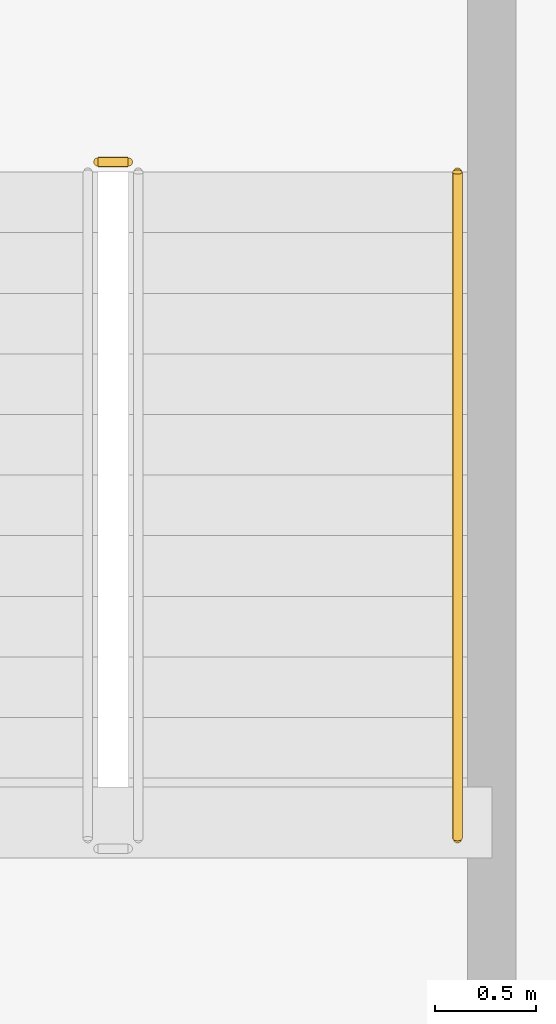
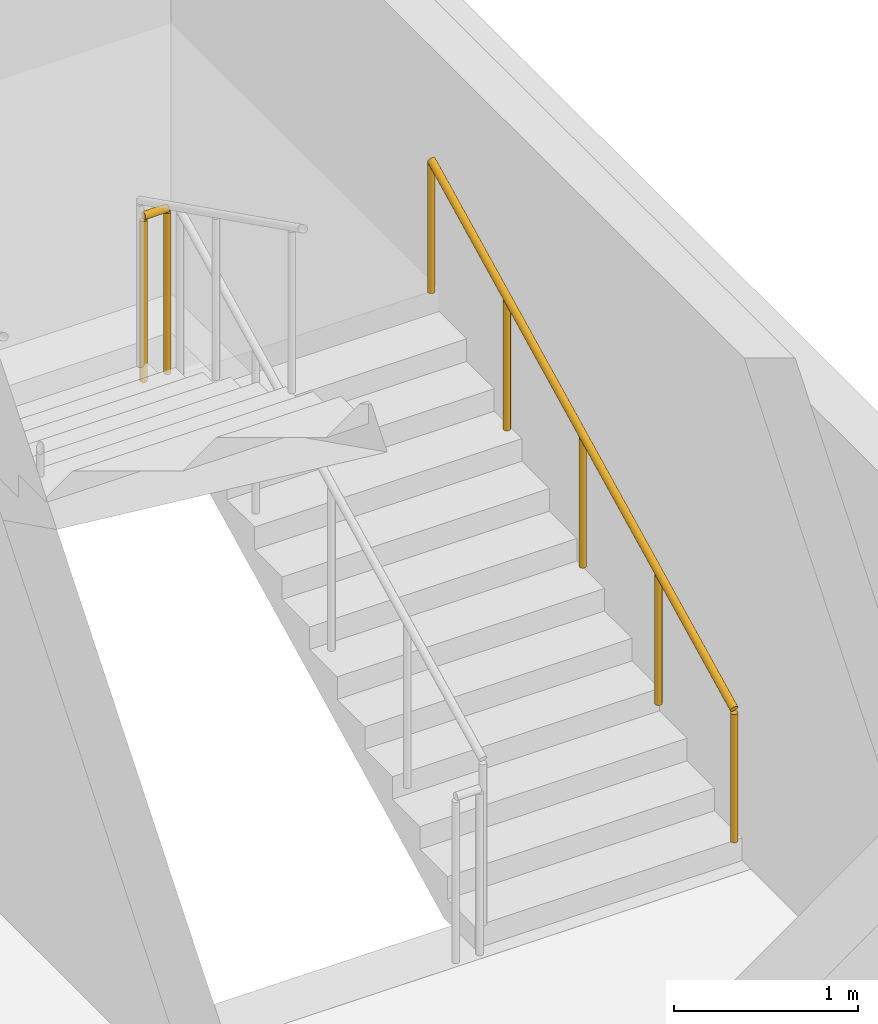
# One storey, part 16 of 16: 2 railings.
"""IFC4 building model written with IfcOpenShell, lengths in metres."""

from ifc_helpers import new_model, si_unit, direction, frame, origin, origin_2d, place, context, subcontext, project, spatial, circle, extrude, material, layer, layer_set, type_object, element, save


model = new_model("IFC4")

# Units and contexts
model_context = context("Model", 3, precision=1e-05, world=origin(), true_north=direction((0.0, 1.0)))
body_context = subcontext(model_context, "Body", "Model", "MODEL_VIEW")
ifc_project = project(units=[si_unit("LENGTHUNIT", "METRE"), si_unit("AREAUNIT", "SQUARE_METRE"), si_unit("VOLUMEUNIT", "CUBIC_METRE"), si_unit("PLANEANGLEUNIT", "RADIAN"), si_unit("MASSUNIT", "GRAM", prefix="KILO")], contexts=[model_context])

# Site, building, storey
site_placement = place(None, origin())
site = spatial("IfcSite", under=ifc_project, at=site_placement, CompositionType="ELEMENT")
building_placement = place(site_placement, origin())
building = spatial("IfcBuilding", under=site, at=building_placement, Name="Yukiwa Park Conservatory and Herbarium", CompositionType="ELEMENT")
storey_placement = place(building_placement, frame((0.0, 0.0, 43.199951171875)))
storey = spatial("IfcBuildingStorey", under=building, at=storey_placement, Name="L11", CompositionType="ELEMENT", Elevation=43.199951171875)

# Railings
ifc_material_1 = material(Name="Steel Q235B", Category="steel")
ifc_layer_1 = layer(ifc_material_1, 0.050048828125)
ifc_layer_set_1 = layer_set([ifc_layer_1], Name="Steel Q235B")
railing_type_1 = type_object("IfcRailingType", Name="RL-STAIR-GUARD-1120", PredefinedType="BALUSTRADE", material=ifc_layer_set_1)
railing_1_placement = place(storey_placement, frame((165.52001953125, 111.72998046875, 1.800048828125)))
element("IfcRailing", 1, at=railing_1_placement, inside=storey, type_object=railing_type_1, Name="L11 ST-T3 stair guard 2", PredefinedType="BALUSTRADE", context=body_context, shape_type="SweptSolid", body=[
    extrude(circle(Radius=0.02392578125, at=origin_2d()), frame((0.0, 0.0, 1.09619140625), z_axis=(-1.0, 0.0, 0.0), x_axis=(0.0, -1.0, 0.0)), (0.0, 0.0, 1.0), 0.14990234375),
    extrude(circle(Radius=0.02099609375, at=origin_2d()), origin(), (0.0, 0.0, 1.0), 1.072021484375),
    extrude(circle(Radius=0.02099609375, at=origin_2d()), frame((-0.14990234375, 0.0, 0.0)), (0.0, 0.0, 1.0), 1.072021484375),
])
ifc_material_2 = material(Name="Steel Q235B", Category="steel")
ifc_layer_2 = layer(ifc_material_2, 0.044921875)
ifc_layer_set_2 = layer_set([ifc_layer_2], Name="Steel Q235B")
railing_type_2 = type_object("IfcRailingType", Name="RL-STAIR-RAIL-900", PredefinedType="HANDRAIL", material=ifc_layer_set_2)
railing_2_placement = place(storey_placement, frame((167.14990234375, 108.3798828125, 0.150146484375)))
element("IfcRailing", 2, at=railing_2_placement, inside=storey, type_object=railing_type_2, Name="L11 ST-T3 stair handrail 1", PredefinedType="HANDRAIL", context=body_context, shape_type="SweptSolid", body=[
    extrude(circle(Radius=0.02392578125, at=origin_2d()), frame((0.0, 0.0, 0.8759765625), z_axis=(0.0, 0.894440424912, 0.447187126696), x_axis=(-1.0, 0.0, 0.0)), (0.0, 0.0, 1.0), 3.689453125),
    extrude(circle(Radius=0.02099609375, at=origin_2d()), origin(), (0.0, 0.0, 1.0), 0.851806640625),
    extrude(circle(Radius=0.02099609375, at=origin_2d()), frame((0.0, 0.824951171875, 0.41259765625)), (0.0, 0.0, 1.0), 0.851806640625),
    extrude(circle(Radius=0.02099609375, at=origin_2d()), frame((0.0, 1.64990234375, 0.824951171875)), (0.0, 0.0, 1.0), 0.851806640625),
    extrude(circle(Radius=0.02099609375, at=origin_2d()), frame((0.0, 2.47509765625, 1.2373046875)), (0.0, 0.0, 1.0), 0.851806640625),
    extrude(circle(Radius=0.02099609375, at=origin_2d()), frame((0.0, 3.300048828125, 1.64990234375)), (0.0, 0.0, 1.0), 0.851806640625),
])

save(model, "model.ifc")
